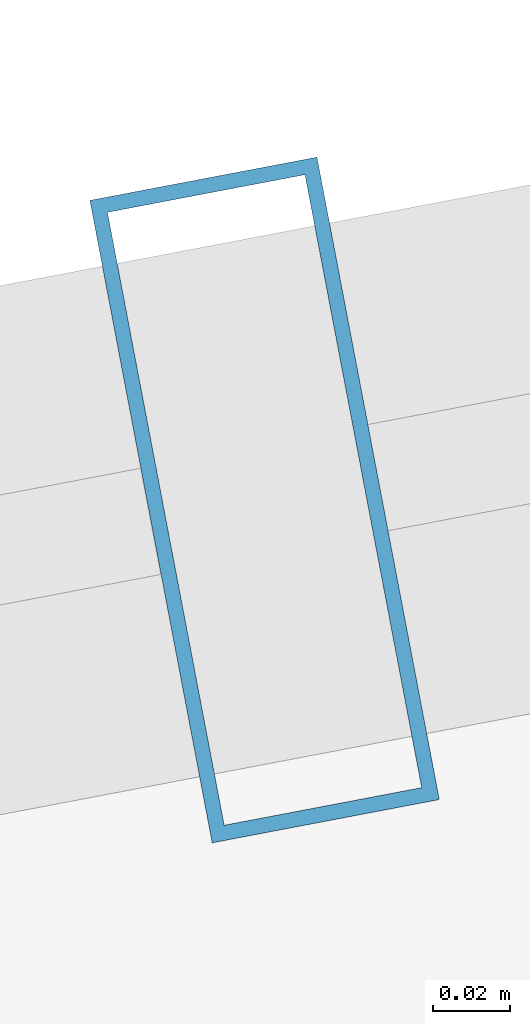
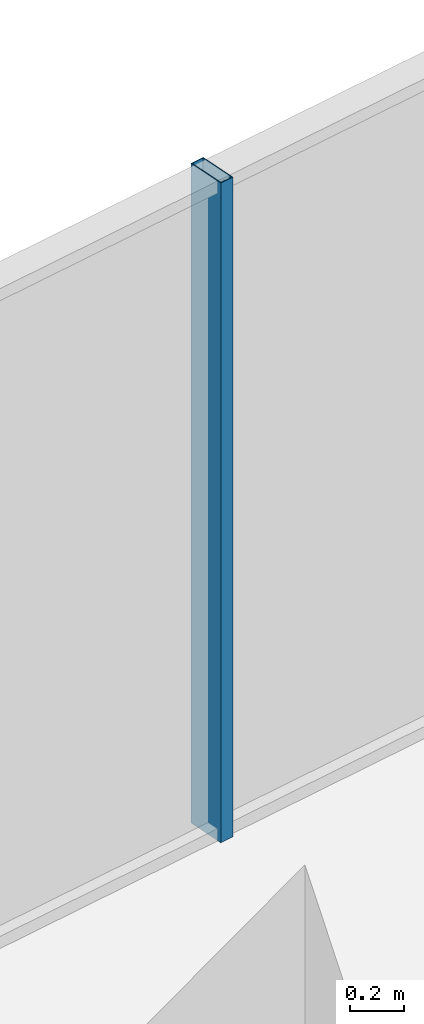
# One storey, part 25 of 38: 1 member, 1 element without a shape of its own.
"""IFC4 building model written with IfcOpenShell, lengths in metres."""

from ifc_helpers import new_model, si_unit, direction, frame, origin, origin_2d, place, context, subcontext, project, spatial, hollow_rectangle, extrude, source, transform, mapped, material, layer, layer_set, material_profile, profile_set, type_object, element, aggregate, save


model = new_model("IFC4")

# Units and contexts
model_context = context("Model", 3, precision=1e-05, world=origin(), true_north=direction((0.0, 1.0)))
body_context = subcontext(model_context, "Body", "Model", "MODEL_VIEW")
ifc_project = project(units=[si_unit("LENGTHUNIT", "METRE"), si_unit("AREAUNIT", "SQUARE_METRE"), si_unit("VOLUMEUNIT", "CUBIC_METRE"), si_unit("PLANEANGLEUNIT", "RADIAN"), si_unit("MASSUNIT", "GRAM", prefix="KILO")], contexts=[model_context])

# Site, building, storey
site_placement = place(None, origin())
site = spatial("IfcSite", under=ifc_project, at=site_placement, CompositionType="ELEMENT")
building_placement = place(site_placement, origin())
building = spatial("IfcBuilding", under=site, at=building_placement, Name="Veraguas Prism Commons", CompositionType="ELEMENT")
storey_placement = place(building_placement, frame((0.0, 0.0, 60.85009765625)))
storey = spatial("IfcBuildingStorey", under=building, at=storey_placement, Name="L16", CompositionType="ELEMENT", Elevation=60.85009765625)

# Curtain wall, member
ifc_material = material(Name="Anodised aluminium EN AW-6063 T6", Category="aluminium")
ifc_layer = layer(ifc_material, 0.169921875, Name="Unitised Flush Curtain Wall Zone 1", Category="aluminium")
ifc_layer_set = layer_set([ifc_layer], Name="Anodised aluminium EN AW-6063 T6")
curtain_wall_type = type_object("IfcCurtainWallType", Name="Unitised Flush Curtain Wall Zone 1", PredefinedType="NOTDEFINED", material=ifc_layer_set)
curtain_wall_placement = place(storey_placement, origin())
curtain_wall = element("IfcCurtainWall", 1, at=curtain_wall_placement, inside=storey, type_object=curtain_wall_type, Name="Tower Facade Curtain Wall L16-F2", PredefinedType="NOTDEFINED")
ifc_material_profile = material_profile(ifc_material, hollow_rectangle(XDim=0.06005859375, YDim=0.169921875, WallThickness=0.00390625, at=origin_2d()), Name="AL60X170X4")
ifc_profile_set = profile_set([ifc_material_profile], Name="Anodised aluminium EN AW-6063 T6")
member_type = type_object("IfcMemberType", Name="Curtain Wall Mullion Lower AL 60x170x4", PredefinedType="MULLION", material=ifc_profile_set)
shared_shape = source(origin(), body_context, "Body", "SweptSolid", [
    extrude(hollow_rectangle(XDim=0.06005859375, YDim=0.169921875, WallThickness=0.00390625, at=origin_2d()), origin(), (0.0, 0.0, 1.0), 3.0),
])
member_placement = place(storey_placement, frame((20.112548828125, 44.417724609375, 0.0), z_axis=(0.0, 0.0, 1.0), x_axis=(-0.982352599301, -0.187038420242, 0.0)))
member = element("IfcMember", 2, at=member_placement, type_object=member_type, Name="CW-Z1 Mullion 3", PredefinedType="MULLION", context=body_context, shape_type="MappedRepresentation", body=[
    mapped(shared_shape, transform((0.0, 0.0, 0.0), scale=1.0)),
])
aggregate(curtain_wall, [member])

save(model, "model.ifc")
